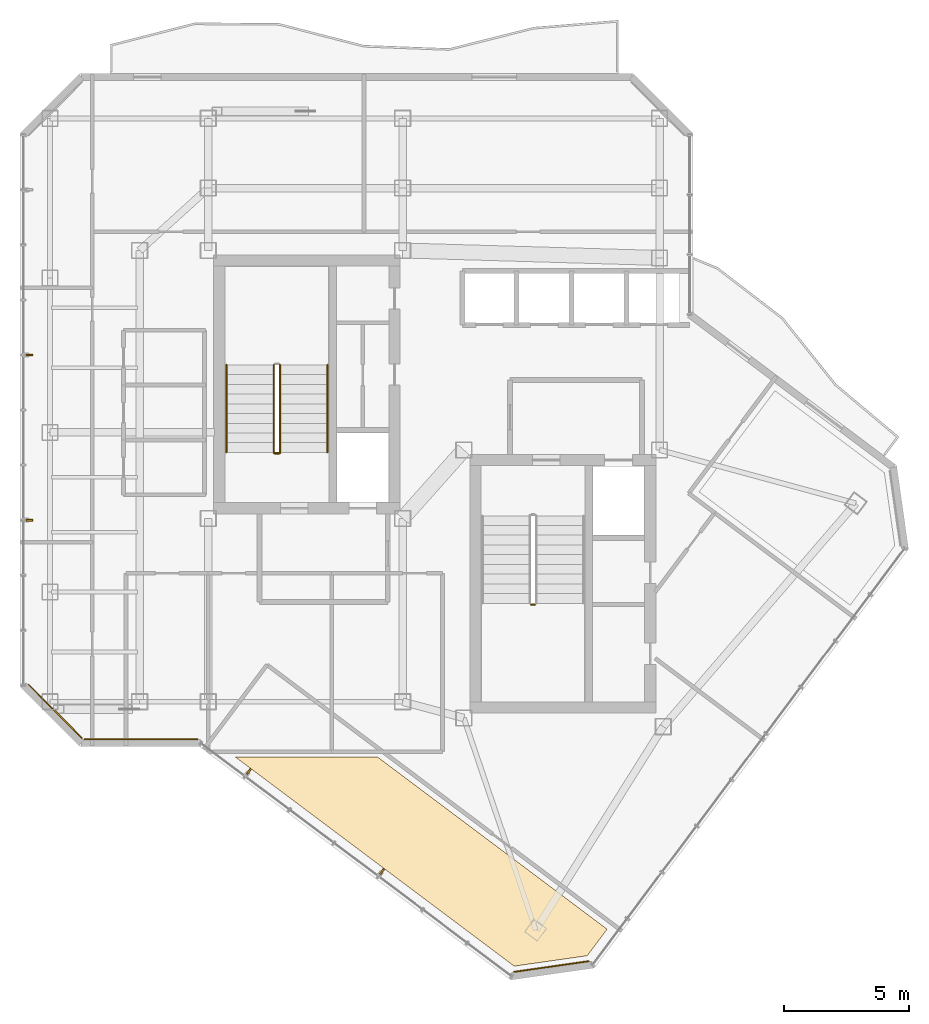
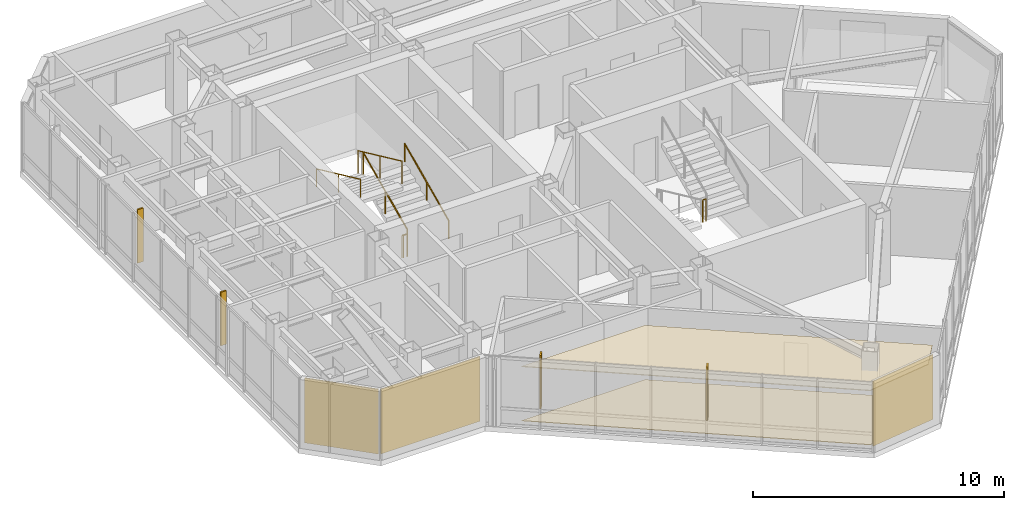
# One storey, part 20 of 22: 7 railings, 5 coverings, 4 shading devices.
"""IFC4 building model written with IfcOpenShell, lengths in metres."""

from ifc_helpers import new_model, si_unit, direction, frame, origin, origin_2d, place, context, subcontext, project, spatial, polyline, rectangle, circle, outline, extrude, material, layer, layer_set, type_object, element, save


model = new_model("IFC4")

# Units and contexts
model_context = context("Model", 3, precision=1e-05, world=origin(), true_north=direction((0.0, 1.0)))
body_context = subcontext(model_context, "Body", "Model", "MODEL_VIEW")
ifc_project = project(units=[si_unit("LENGTHUNIT", "METRE"), si_unit("AREAUNIT", "SQUARE_METRE"), si_unit("VOLUMEUNIT", "CUBIC_METRE"), si_unit("PLANEANGLEUNIT", "RADIAN"), si_unit("MASSUNIT", "GRAM", prefix="KILO")], contexts=[model_context])

# Site, building, storey
site_placement = place(None, origin())
site = spatial("IfcSite", under=ifc_project, at=site_placement, CompositionType="ELEMENT")
building_placement = place(site_placement, origin())
building = spatial("IfcBuilding", under=site, at=building_placement, Name="Hatsunagi Terrace Concourse", CompositionType="ELEMENT")
storey_placement = place(building_placement, frame((0.0, 0.0, 243.14990234375)))
storey = spatial("IfcBuildingStorey", under=building, at=storey_placement, Name="L64", CompositionType="ELEMENT", Elevation=243.14990234375)

# Covering
ifc_material_1 = material(Name="Granite stone paving", Category="masonry")
ifc_layer_1 = layer(ifc_material_1, 0.02490234375)
ifc_layer_set_1 = layer_set([ifc_layer_1], Name="GraniteStoneFlooring_25")
covering_type_1 = type_object("IfcCoveringType", Name="GraniteStoneFlooring_25", PredefinedType="FLOORING", material=ifc_layer_set_1)
covering_1_placement = place(storey_placement, origin())
element("IfcCovering", 1, at=covering_1_placement, inside=storey, type_object=covering_type_1, Name="Finished Flooring L64-1", PredefinedType="FLOORING", context=body_context, shape_type="SweptSolid", body=[
    extrude(outline(polyline([(26.626953125, 22.991943359375), (37.822021484375, 14.595947265625), (40.748046875, 15.013916015625), (41.5458984375, 16.077880859375), (32.327880859375, 22.991943359375), (26.626953125, 22.991943359375)])), origin(), (0.0, 0.0, 1.0), 0.025146484375),
])

# Railings
ifc_material_2 = material(Name="Stainless steel", Category="steel")
ifc_layer_2 = layer(ifc_material_2, 0.044921875)
ifc_layer_set_2 = layer_set([ifc_layer_2], Name="StairPitchHandrail_Tower2000")
railing_type_1 = type_object("IfcRailingType", Name="StairPitchHandrail_Tower2000", PredefinedType="HANDRAIL", material=ifc_layer_set_2)
railing_1_placement = place(storey_placement, frame((30.330078125, 35.199951171875, 0.18017578125)))
element("IfcRailing", 2, at=railing_1_placement, inside=storey, type_object=railing_type_1, Name="L64 ST-A stair handrail 1", PredefinedType="HANDRAIL", context=body_context, shape_type="SweptSolid", body=[
    extrude(circle(Radius=0.02392578125, at=origin_2d()), frame((0.0, 0.0, 0.8759765625), z_axis=(0.0, 0.907972323039, 0.419030142823), x_axis=(-1.0, 0.0, 0.0)), (0.0, 0.0, 1.0), 3.86572265625),
    extrude(circle(Radius=0.02099609375, at=origin_2d()), origin(), (0.0, 0.0, 1.0), 0.851806640625),
    extrude(circle(Radius=0.02099609375, at=origin_2d()), frame((0.0, 1.7548828125, 0.81005859375)), (0.0, 0.0, 1.0), 0.851806640625),
    extrude(circle(Radius=0.02099609375, at=origin_2d()), frame((0.0, 3.510009765625, 1.619873046875)), (0.0, 0.0, 1.0), 0.851806640625),
])
railing_2_placement = place(storey_placement, frame((26.280029296875, 38.7099609375, 1.97998046875)))
element("IfcRailing", 3, at=railing_2_placement, inside=storey, type_object=railing_type_1, Name="L64 ST-A stair handrail 2", PredefinedType="HANDRAIL", context=body_context, shape_type="SweptSolid", body=[
    extrude(circle(Radius=0.02392578125, at=origin_2d()), frame((0.0, 0.0, 0.8759765625), z_axis=(0.0, -0.907948293929, 0.419082206198), x_axis=(1.0, 0.0, 0.0)), (0.0, 0.0, 1.0), 3.865966796875),
    extrude(circle(Radius=0.02099609375, at=origin_2d()), origin(), (0.0, 0.0, 1.0), 0.851806640625),
    extrude(circle(Radius=0.02099609375, at=origin_2d()), frame((0.0, -1.7548828125, 0.81005859375)), (0.0, 0.0, 1.0), 0.851806640625),
    extrude(circle(Radius=0.02099609375, at=origin_2d()), frame((0.0, -3.510009765625, 1.6201171875)), (0.0, 0.0, 1.0), 0.851806640625),
])
ifc_material_3 = material(Name="Stainless steel", Category="steel")
ifc_layer_3 = layer(ifc_material_3, 0.06005859375)
ifc_layer_set_3 = layer_set([ifc_layer_3], Name="StairWellGuard_Tower2000")
railing_type_2 = type_object("IfcRailingType", Name="StairWellGuard_Tower2000", PredefinedType="BALUSTRADE", material=ifc_layer_set_3)
railing_3_placement = place(storey_placement, frame((28.429931640625, 35.199951171875, 0.18017578125)))
element("IfcRailing", 4, at=railing_3_placement, inside=storey, type_object=railing_type_2, Name="L64 ST-A stair guard 1", PredefinedType="BALUSTRADE", context=body_context, shape_type="SweptSolid", body=[
    extrude(circle(Radius=0.02392578125, at=origin_2d()), frame((0.0, 0.0, 1.09619140625), z_axis=(0.0, 0.907972323039, 0.419030142823), x_axis=(-1.0, 0.0, 0.0)), (0.0, 0.0, 1.0), 3.86572265625),
    extrude(circle(Radius=0.02099609375, at=origin_2d()), origin(), (0.0, 0.0, 1.0), 1.072021484375),
    extrude(circle(Radius=0.02099609375, at=origin_2d()), frame((0.0, 1.7548828125, 0.81005859375)), (0.0, 0.0, 1.0), 1.072021484375),
    extrude(circle(Radius=0.02099609375, at=origin_2d()), frame((0.0, 3.510009765625, 1.619873046875)), (0.0, 0.0, 1.0), 1.072021484375),
])
railing_4_placement = place(storey_placement, frame((28.179931640625, 38.7099609375, 1.97998046875)))
element("IfcRailing", 5, at=railing_4_placement, inside=storey, type_object=railing_type_2, Name="L64 ST-A stair guard 3", PredefinedType="BALUSTRADE", context=body_context, shape_type="SweptSolid", body=[
    extrude(circle(Radius=0.02392578125, at=origin_2d()), frame((0.0, 0.0, 1.09619140625), z_axis=(0.0, -0.907948293929, 0.419082206198), x_axis=(1.0, 0.0, 0.0)), (0.0, 0.0, 1.0), 3.865966796875),
    extrude(circle(Radius=0.02099609375, at=origin_2d()), origin(), (0.0, 0.0, 1.0), 1.072021484375),
    extrude(circle(Radius=0.02099609375, at=origin_2d()), frame((0.0, -1.7548828125, 0.81005859375)), (0.0, 0.0, 1.0), 1.072021484375),
    extrude(circle(Radius=0.02099609375, at=origin_2d()), frame((0.0, -3.510009765625, 1.6201171875)), (0.0, 0.0, 1.0), 1.072021484375),
])
railing_5_placement = place(storey_placement, frame((28.3798828125, 35.14990234375, 0.0)))
element("IfcRailing", 6, at=railing_5_placement, inside=storey, type_object=railing_type_2, Name="L64 ST-A stair guard 4", PredefinedType="BALUSTRADE", context=body_context, shape_type="SweptSolid", body=[
    extrude(circle(Radius=0.02392578125, at=origin_2d()), frame((0.0, 0.0, 1.09619140625), z_axis=(-1.0, 0.0, 0.0), x_axis=(0.0, -1.0, 0.0)), (0.0, 0.0, 1.0), 0.14990234375),
    extrude(circle(Radius=0.02099609375, at=origin_2d()), origin(), (0.0, 0.0, 1.0), 1.072021484375),
    extrude(circle(Radius=0.02099609375, at=origin_2d()), frame((-0.14990234375, 0.0, 0.0)), (0.0, 0.0, 1.0), 1.072021484375),
])
railing_6_placement = place(storey_placement, frame((38.5, 29.10009765625, 1.800048828125)))
element("IfcRailing", 7, at=railing_6_placement, inside=storey, type_object=railing_type_2, Name="L64 ST-B stair guard 2", PredefinedType="BALUSTRADE", context=body_context, shape_type="SweptSolid", body=[
    extrude(circle(Radius=0.02392578125, at=origin_2d()), frame((0.0, 0.0, 1.09619140625), z_axis=(1.0, 0.0, 0.0), x_axis=(0.0, 1.0, 0.0)), (0.0, 0.0, 1.0), 0.14990234375),
    extrude(circle(Radius=0.02099609375, at=origin_2d()), origin(), (0.0, 0.0, 1.0), 1.072021484375),
    extrude(circle(Radius=0.02099609375, at=origin_2d()), frame((0.14990234375, 0.0, 0.0)), (0.0, 0.0, 1.0), 1.072021484375),
])
ifc_material_4 = material(Name="Stainless Steel SUS316 Post-and-Rail Guard", Category="steel")
ifc_layer_4 = layer(ifc_material_4, 0.080078125)
ifc_layer_set_4 = layer_set([ifc_layer_4], Name="TerracePlantedGuardRail_1200")
railing_type_3 = type_object("IfcRailingType", Name="TerracePlantedGuardRail_1200", PredefinedType="GUARDRAIL", material=ifc_layer_set_4)
railing_7_placement = place(storey_placement, frame((28.179931640625, 35.179931640625, 0.0)))
element("IfcRailing", 8, at=railing_7_placement, inside=storey, type_object=railing_type_3, Name="Stair ST-A Well Closure Guard L64", PredefinedType="GUARDRAIL", context=body_context, shape_type="SweptSolid", body=[
    extrude(circle(Radius=0.02392578125, at=origin_2d()), frame((0.0, 0.0, 1.09619140625), z_axis=(1.0, 0.0, 0.0), x_axis=(0.0, 1.0, 0.0)), (0.0, 0.0, 1.0), 0.25),
    extrude(circle(Radius=0.02099609375, at=origin_2d()), origin(), (0.0, 0.0, 1.0), 1.072021484375),
    extrude(circle(Radius=0.02099609375, at=origin_2d()), frame((0.25, 0.0, 0.0)), (0.0, 0.0, 1.0), 1.072021484375),
])

# Shading devices
ifc_material_5 = material(Name="Extruded Unglazed Terracotta Baguette", Category="masonry")
shading_device_type = type_object("IfcShadingDeviceType", Name="TerracottaFinScreen_260x70", PredefinedType="USERDEFINED", material=ifc_material_5)
for number, where, z_axis, x_axis, name in (
    (9, (32.52294921875, 18.39501953125, 0.85009765625), (0.0, 0.0, 1.0), (-0.800007305671, 0.599990258982, 0.0), "Terracotta Baguette Fin Screen SCR-01"),
    (10, (27.178955078125, 22.404052734375, 0.85009765625), (0.0, 0.0, 1.0), (-0.800007305671, 0.599990258982, 0.0), "Terracotta Baguette Fin Screen SCR-01"),
    (11, (18.389892578125, 32.48291015625, 0.85009765625), (0.0, 0.0, 1.0), (0.0, 1.0, 0.0), "Terracotta Baguette Fin Screen SCR-01"),
    (12, (18.389892578125, 39.10791015625, 0.85009765625), (0.0, 0.0, 1.0), (0.0, 1.0, 0.0), "Terracotta Baguette Fin Screen SCR-01"),
):
    element("IfcShadingDevice", number, at=place(storey_placement, frame(where, z_axis=z_axis, x_axis=x_axis)), inside=storey, type_object=shading_device_type, Name=name, ObjectType="SUNSHADE", PredefinedType="USERDEFINED", context=body_context, shape_type="SweptSolid", body=[
        extrude(rectangle(XDim=0.070068359375, YDim=0.260009765625, at=origin_2d()), origin(), (0.0, 0.0, 1.0), 2.60009765625),
    ])

# Coverings
ifc_material_6 = material(Name="Unglazed Warm Terracotta Rainscreen Tile", Category="masonry")
ifc_layer_5 = layer(ifc_material_6, 0.044921875)
ifc_layer_set_5 = layer_set([ifc_layer_5], Name="TerracottaRainscreenCladding_45")
covering_type_2 = type_object("IfcCoveringType", Name="TerracottaRainscreenCladding_45", PredefinedType="CLADDING", material=ifc_layer_set_5)
covering_2_placement = place(storey_placement, frame((39.318115234375, 14.5791015625, 0.10009765625), z_axis=(0.0, 0.0, 1.0), x_axis=(-0.989973920543, -0.141250262458, 0.0)))
element("IfcCovering", 13, at=covering_2_placement, inside=storey, type_object=covering_type_2, Name="Terracotta Rainscreen Cladding L64-04", PredefinedType="CLADDING", context=body_context, shape_type="SweptSolid", body=[
    extrude(rectangle(XDim=3.0380859375, YDim=0.044921875, at=origin_2d()), origin(), (0.0, 0.0, 1.0), 3.14990234375),
])
covering_3_placement = place(storey_placement, frame((22.85205078125, 23.701904296875, 0.10009765625), z_axis=(0.0, 0.0, 1.0), x_axis=(-1.0, 0.0, 0.0)))
element("IfcCovering", 14, at=covering_3_placement, inside=storey, type_object=covering_type_2, Name="Terracotta Rainscreen Cladding L64-06", PredefinedType="CLADDING", context=body_context, shape_type="SweptSolid", body=[
    extrude(rectangle(XDim=4.549072265625, YDim=0.044921875, at=origin_2d()), origin(), (0.0, 0.0, 1.0), 3.14990234375),
])
covering_4_placement = place(storey_placement, frame((19.4140625, 24.81396484375, 0.10009765625), z_axis=(0.0, 0.0, 1.0), x_axis=(-0.707106781187, 0.707106781187, 0.0)))
element("IfcCovering", 15, at=covering_4_placement, inside=storey, type_object=covering_type_2, Name="Terracotta Rainscreen Cladding L64-07", PredefinedType="CLADDING", context=body_context, shape_type="SweptSolid", body=[
    extrude(rectangle(XDim=3.0380859375, YDim=0.044921875, at=origin_2d()), origin(), (0.0, 0.0, 1.0), 3.14990234375),
])
ifc_material_7 = material(Name="Hardwood timber", Category="wood")
ifc_layer_6 = layer(ifc_material_7, 0.034912109375)
ifc_layer_set_6 = layer_set([ifc_layer_6], Name="TimberBaffleCeiling_35")
covering_type_3 = type_object("IfcCoveringType", Name="TimberBaffleCeiling_35", PredefinedType="CEILING", material=ifc_layer_set_6)
covering_5_placement = place(storey_placement, frame((0.0, 0.0, 2.630126953125)))
element("IfcCovering", 16, at=covering_5_placement, inside=storey, type_object=covering_type_3, Name="Suspended Ceiling L64-1", PredefinedType="CEILING", context=body_context, shape_type="SweptSolid", body=[
    extrude(outline(polyline([(26.626953125, 22.991943359375), (37.822021484375, 14.595947265625), (40.748046875, 15.013916015625), (41.5458984375, 16.077880859375), (32.327880859375, 22.991943359375), (26.626953125, 22.991943359375)])), origin(), (0.0, 0.0, 1.0), 0.034912109375),
])

save(model, "model.ifc")
